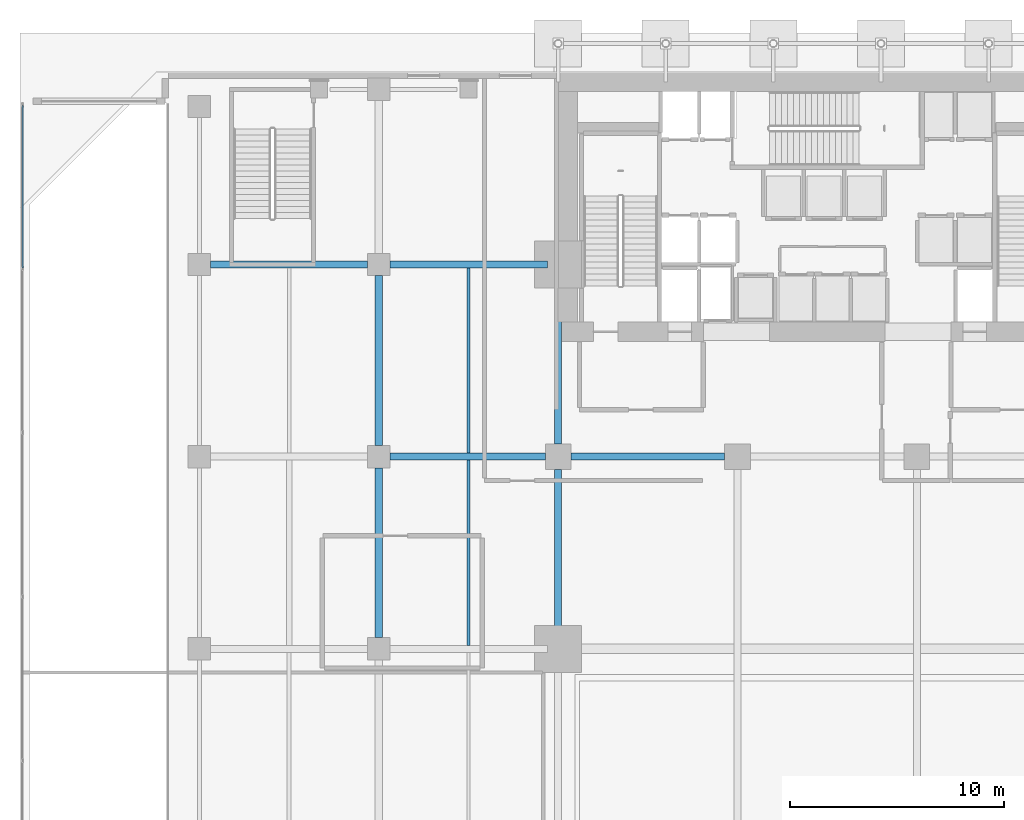
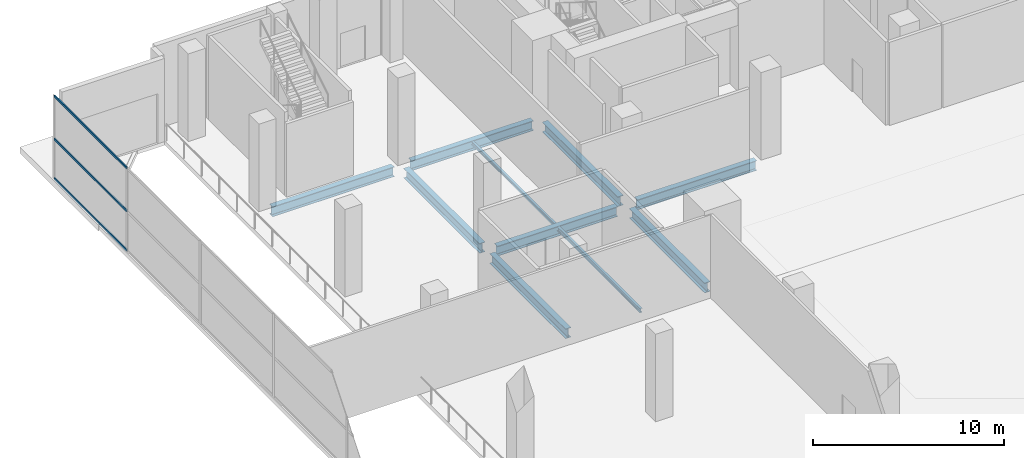
# One storey, part 20 of 35: 10 beams, 3 members, 1 element without a shape of its own.
"""IFC4 building model written with IfcOpenShell, lengths in metres."""

from ifc_helpers import new_model, si_unit, direction, frame, origin, origin_2d, place, context, subcontext, project, spatial, hollow_rectangle, i_section, extrude, material, layer, layer_set, material_profile, profile_set, type_object, element, aggregate, save


model = new_model("IFC4")

# Units and contexts
model_context = context("Model", 3, precision=1e-05, world=origin(), true_north=direction((0.0, 1.0)))
body_context = subcontext(model_context, "Body", "Model", "MODEL_VIEW")
ifc_project = project(units=[si_unit("LENGTHUNIT", "METRE"), si_unit("AREAUNIT", "SQUARE_METRE"), si_unit("VOLUMEUNIT", "CUBIC_METRE"), si_unit("PLANEANGLEUNIT", "RADIAN"), si_unit("MASSUNIT", "GRAM", prefix="KILO")], contexts=[model_context])

# Site, building, storey
site_placement = place(None, origin())
site = spatial("IfcSite", under=ifc_project, at=site_placement, CompositionType="ELEMENT")
building_placement = place(site_placement, origin())
building = spatial("IfcBuilding", under=site, at=building_placement, Name="Maruvema Waterfront Hotel and Observation Tower", CompositionType="ELEMENT")
storey_placement = place(building_placement, origin())
storey = spatial("IfcBuildingStorey", under=building, at=storey_placement, Name="L00", CompositionType="ELEMENT", Elevation=0.0)

# Curtain wall, members
ifc_material_1 = material(Name="Anodised bronze aluminium and solar-control low-E IGU", Category="aluminium")
ifc_layer = layer(ifc_material_1, 0.159912109375, Name="Podium Waterfront Storefront Curtain Wall System CW-01")
ifc_layer_set = layer_set([ifc_layer], Name="Anodised bronze aluminium and solar-control low-E IGU")
curtain_wall_type = type_object("IfcCurtainWallType", Name="Podium Waterfront Storefront Curtain Wall System CW-01", PredefinedType="USERDEFINED", material=ifc_layer_set)
curtain_wall_placement = place(storey_placement, origin())
curtain_wall = element("IfcCurtainWall", 1, at=curtain_wall_placement, inside=storey, type_object=curtain_wall_type, Name="L00 Curtain Wall CW-L00-W", ObjectType="UNITISED CURTAIN WALL", PredefinedType="USERDEFINED")
ifc_material_2 = material(Name="Anodised architectural bronze aluminium", Category="aluminium")
ifc_material_profile_1 = material_profile(ifc_material_2, hollow_rectangle(XDim=0.070068359375, YDim=0.14990234375, WallThickness=0.00390625, at=origin_2d()), Name="ALU-T70x150")
ifc_profile_set_1 = profile_set([ifc_material_profile_1], Name="Anodised architectural bronze aluminium")
member_type = type_object("IfcMemberType", Name="Curtain Wall Horizontal Transom ALU-T70x150", PredefinedType="USERDEFINED", material=ifc_profile_set_1)
member_1_placement = place(storey_placement, frame((0.1201171875, 52.43994140625, 0.030029296875), z_axis=(0.0, -1.0, 0.0), x_axis=(1.0, 0.0, 0.0)))
member_1 = element("IfcMember", 2, at=member_1_placement, type_object=member_type, Name="CW-01 transom 1.1", ObjectType="TRANSOM", PredefinedType="USERDEFINED", context=body_context, shape_type="SweptSolid", body=[
    extrude(hollow_rectangle(XDim=0.070068359375, YDim=0.14990234375, WallThickness=0.00390625, at=origin_2d()), origin(), (0.0, 0.0, 1.0), 7.59326171875),
])
member_2_placement = place(storey_placement, frame((0.1201171875, 52.43994140625, 2.550048828125), z_axis=(0.0, -1.0, 0.0), x_axis=(1.0, 0.0, 0.0)))
member_2 = element("IfcMember", 3, at=member_2_placement, type_object=member_type, Name="CW-01 transom 1.2", ObjectType="TRANSOM", PredefinedType="USERDEFINED", context=body_context, shape_type="SweptSolid", body=[
    extrude(hollow_rectangle(XDim=0.070068359375, YDim=0.14990234375, WallThickness=0.00390625, at=origin_2d()), origin(), (0.0, 0.0, 1.0), 7.59326171875),
])
member_3_placement = place(storey_placement, frame((0.1201171875, 52.43994140625, 5.2900390625), z_axis=(0.0, -1.0, 0.0), x_axis=(1.0, 0.0, 0.0)))
member_3 = element("IfcMember", 4, at=member_3_placement, type_object=member_type, Name="CW-01 transom 1.3", ObjectType="TRANSOM", PredefinedType="USERDEFINED", context=body_context, shape_type="SweptSolid", body=[
    extrude(hollow_rectangle(XDim=0.070068359375, YDim=0.14990234375, WallThickness=0.00390625, at=origin_2d()), origin(), (0.0, 0.0, 1.0), 7.59326171875),
])
aggregate(curtain_wall, [member_1, member_2, member_3])

# Beams
ifc_material_3 = material(Name="Steel ASTM A572 Grade 50", Category="steel")
ifc_material_profile_2 = material_profile(ifc_material_3, i_section(OverallWidth=0.3291015625, OverallDepth=0.635009765625, WebThickness=0.017822265625, FlangeThickness=0.031005859375, FilletRadius=0.01806640625, at=origin_2d()), Name="W610x241.0")
ifc_profile_set_2 = profile_set([ifc_material_profile_2], Name="Steel ASTM A572 Grade 50")
beam_type_1 = type_object("IfcBeamType", Name="Primary Floor Girder W610x241.0", PredefinedType="BEAM", material=ifc_profile_set_2)
beam_1_placement = place(storey_placement, frame((17.324951171875, 36.0, -0.597412109375), z_axis=(1.0, 0.0, 0.0), x_axis=(0.0, 1.0, 0.0)))
element("IfcBeam", 5, at=beam_1_placement, inside=storey, type_object=beam_type_1, Name="L00 Floor Girder EW-30", PredefinedType="BEAM", context=body_context, shape_type="SweptSolid", body=[
    extrude(i_section(OverallWidth=0.3291015625, OverallDepth=0.635009765625, WebThickness=0.017822265625, FlangeThickness=0.031005859375, FilletRadius=0.01806640625, at=origin_2d()), origin(), (0.0, 0.0, 1.0), 7.275146484375),
])
beam_2_placement = place(storey_placement, frame((25.800048828125, 36.0, -0.597412109375), z_axis=(1.0, 0.0, 0.0), x_axis=(0.0, 1.0, 0.0)))
element("IfcBeam", 6, at=beam_2_placement, inside=storey, type_object=beam_type_1, Name="L00 Floor Girder EW-31", PredefinedType="BEAM", context=body_context, shape_type="SweptSolid", body=[
    extrude(i_section(OverallWidth=0.3291015625, OverallDepth=0.635009765625, WebThickness=0.017822265625, FlangeThickness=0.031005859375, FilletRadius=0.01806640625, at=origin_2d()), origin(), (0.0, 0.0, 1.0), 7.199951171875),
])
beam_3_placement = place(storey_placement, frame((8.925048828125, 45.0, -0.597412109375), z_axis=(1.0, 0.0, 0.0), x_axis=(0.0, 1.0, 0.0)))
element("IfcBeam", 7, at=beam_3_placement, inside=storey, type_object=beam_type_1, Name="L00 Floor Girder EW-36", PredefinedType="BEAM", context=body_context, shape_type="SweptSolid", body=[
    extrude(i_section(OverallWidth=0.3291015625, OverallDepth=0.635009765625, WebThickness=0.017822265625, FlangeThickness=0.031005859375, FilletRadius=0.01806640625, at=origin_2d()), origin(), (0.0, 0.0, 1.0), 7.349853515625),
])
beam_4_placement = place(storey_placement, frame((17.324951171875, 45.0, -0.597412109375), z_axis=(1.0, 0.0, 0.0), x_axis=(0.0, 1.0, 0.0)))
element("IfcBeam", 8, at=beam_4_placement, inside=storey, type_object=beam_type_1, Name="L00 Floor Girder EW-37", PredefinedType="BEAM", context=body_context, shape_type="SweptSolid", body=[
    extrude(i_section(OverallWidth=0.3291015625, OverallDepth=0.635009765625, WebThickness=0.017822265625, FlangeThickness=0.031005859375, FilletRadius=0.01806640625, at=origin_2d()), origin(), (0.0, 0.0, 1.0), 7.375),
])
for number, where, z_axis, x_axis, name in (
    (9, (16.800048828125, 27.52490234375, -0.597412109375), (0.0, 1.0, 0.0), (-1.0, 0.0, 0.0), "L00 Floor Girder NS-10"),
    (10, (16.800048828125, 36.52490234375, -0.597412109375), (0.0, 1.0, 0.0), (-1.0, 0.0, 0.0), "L00 Floor Girder NS-11"),
):
    element("IfcBeam", number, at=place(storey_placement, frame(where, z_axis=z_axis, x_axis=x_axis)), inside=storey, type_object=beam_type_1, Name=name, PredefinedType="BEAM", context=body_context, shape_type="SweptSolid", body=[
        extrude(i_section(OverallWidth=0.3291015625, OverallDepth=0.635009765625, WebThickness=0.017822265625, FlangeThickness=0.031005859375, FilletRadius=0.01806640625, at=origin_2d()), origin(), (0.0, 0.0, 1.0), 7.9501953125),
    ])
for number, where, z_axis, x_axis, name in (
    (11, (25.199951171875, 27.5, -0.597412109375), (0.0, 1.0, 0.0), (-1.0, 0.0, 0.0), "L00 Floor Girder NS-16"),
    (12, (25.199951171875, 36.60009765625, -0.597412109375), (0.0, 1.0, 0.0), (-1.0, 0.0, 0.0), "L00 Floor Girder NS-17"),
):
    element("IfcBeam", number, at=place(storey_placement, frame(where, z_axis=z_axis, x_axis=x_axis)), inside=storey, type_object=beam_type_1, Name=name, PredefinedType="BEAM", context=body_context, shape_type="SweptSolid", body=[
        extrude(i_section(OverallWidth=0.3291015625, OverallDepth=0.635009765625, WebThickness=0.017822265625, FlangeThickness=0.031005859375, FilletRadius=0.01806640625, at=origin_2d()), origin(), (0.0, 0.0, 1.0), 7.89990234375),
    ])
ifc_material_4 = material(Name="Steel ASTM A572 Grade 50", Category="steel")
ifc_material_profile_3 = material_profile(ifc_material_4, i_section(OverallWidth=0.133056640625, OverallDepth=0.20703125, WebThickness=0.005859375, FlangeThickness=0.00830078125, FilletRadius=0.010009765625, at=origin_2d()), Name="W200x26.6")
ifc_profile_set_3 = profile_set([ifc_material_profile_3], Name="Steel ASTM A572 Grade 50")
beam_type_2 = type_object("IfcBeamType", Name="Secondary Floor Joist W200x26.6", PredefinedType="JOIST", material=ifc_profile_set_3)
beam_5_placement = place(storey_placement, frame((21.0, 36.16455078125, -0.383544921875), z_axis=(0.0, 1.0, 0.0), x_axis=(-1.0, 0.0, 0.0)))
element("IfcBeam", 13, at=beam_5_placement, inside=storey, type_object=beam_type_2, Name="L00 Secondary Floor Joist JS-08", PredefinedType="JOIST", context=body_context, shape_type="SweptSolid", body=[
    extrude(i_section(OverallWidth=0.133056640625, OverallDepth=0.20703125, WebThickness=0.005859375, FlangeThickness=0.00830078125, FilletRadius=0.010009765625, at=origin_2d()), origin(), (0.0, 0.0, 1.0), 8.6708984375),
])
ifc_material_5 = material(Name="Steel ASTM A572 Grade 50", Category="steel")
ifc_material_profile_4 = material_profile(ifc_material_5, i_section(OverallWidth=0.14599609375, OverallDepth=0.258056640625, WebThickness=0.006103515625, FlangeThickness=0.009033203125, FilletRadius=0.012939453125, at=origin_2d()), Name="W250x32.7")
ifc_profile_set_4 = profile_set([ifc_material_profile_4], Name="Steel ASTM A572 Grade 50")
beam_type_3 = type_object("IfcBeamType", Name="Secondary Floor Joist W250x32.7", PredefinedType="JOIST", material=ifc_profile_set_4)
beam_6_placement = place(storey_placement, frame((21.0, 27.16455078125, -0.408935546875), z_axis=(0.0, 1.0, 0.0), x_axis=(-1.0, 0.0, 0.0)))
element("IfcBeam", 14, at=beam_6_placement, inside=storey, type_object=beam_type_3, Name="L00 Secondary Floor Joist JS-07", PredefinedType="JOIST", context=body_context, shape_type="SweptSolid", body=[
    extrude(i_section(OverallWidth=0.14599609375, OverallDepth=0.258056640625, WebThickness=0.006103515625, FlangeThickness=0.009033203125, FilletRadius=0.012939453125, at=origin_2d()), origin(), (0.0, 0.0, 1.0), 8.6708984375),
])

save(model, "model.ifc")
